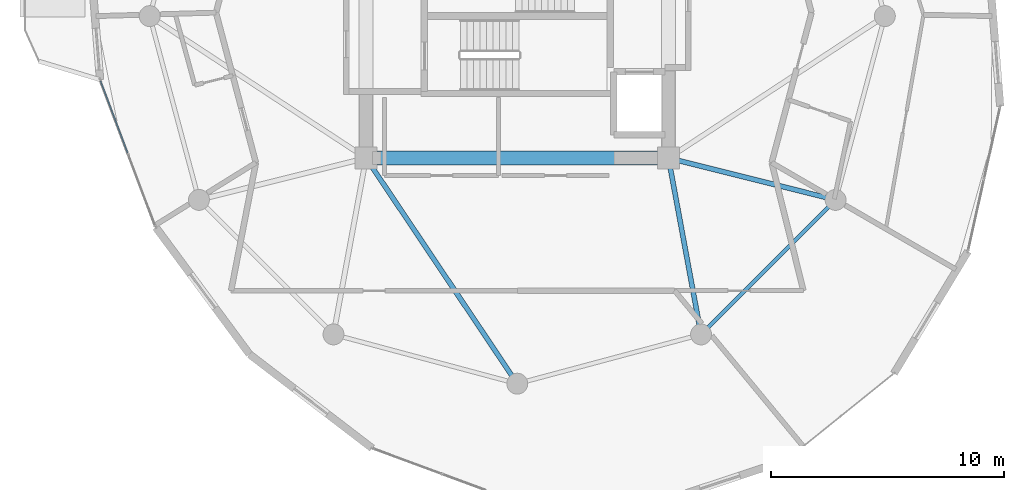
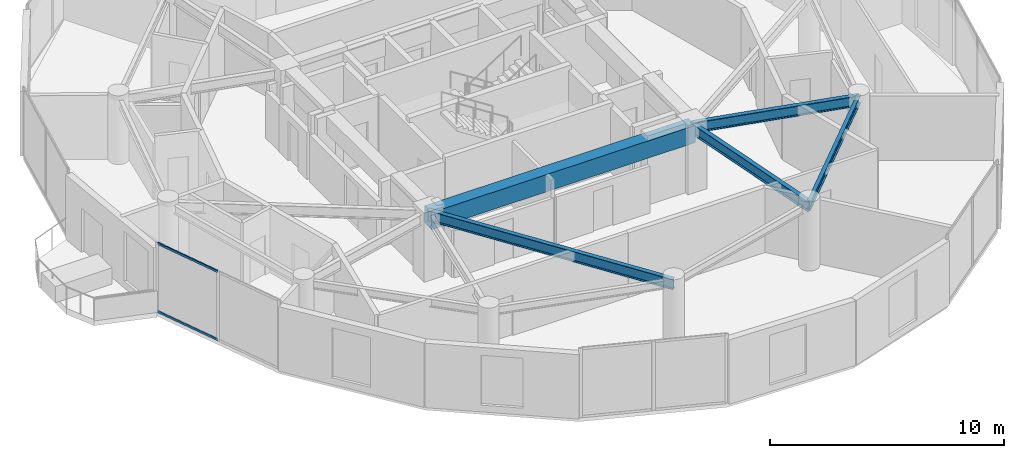
# One storey, part 5 of 20: 5 beams, 2 members, 1 element without a shape of its own.
"""IFC4 building model written with IfcOpenShell, lengths in metres."""

from ifc_helpers import new_model, si_unit, direction, frame, origin, origin_2d, place, context, subcontext, project, spatial, rectangle, hollow_rectangle, i_section, extrude, source, transform, mapped, material, layer, layer_set, material_profile, profile_set, type_object, element, aggregate, save


model = new_model("IFC4")

# Units and contexts
model_context = context("Model", 3, precision=1e-05, world=origin(), true_north=direction((0.0, 1.0)))
body_context = subcontext(model_context, "Body", "Model", "MODEL_VIEW")
ifc_project = project(units=[si_unit("LENGTHUNIT", "METRE"), si_unit("AREAUNIT", "SQUARE_METRE"), si_unit("VOLUMEUNIT", "CUBIC_METRE"), si_unit("PLANEANGLEUNIT", "RADIAN"), si_unit("MASSUNIT", "GRAM", prefix="KILO")], contexts=[model_context])

# Site, building, storey
site_placement = place(None, origin())
site = spatial("IfcSite", under=ifc_project, at=site_placement, CompositionType="ELEMENT")
building_placement = place(site_placement, origin())
building = spatial("IfcBuilding", under=site, at=building_placement, Name="Solvirekh Grand Hotel", CompositionType="ELEMENT")
storey_placement = place(building_placement, frame((0.0, 0.0, 194.800048828125)))
storey = spatial("IfcBuildingStorey", under=building, at=storey_placement, Name="L50", CompositionType="ELEMENT", Elevation=194.800048828125)

# Beams
ifc_material_1 = material(Name="Concrete C50/60", Category="concrete")
ifc_material_profile_1 = material_profile(ifc_material_1, rectangle(XDim=0.60009765625, YDim=0.89990234375, at=origin_2d()), Name="RC BEAM 600X900")
ifc_profile_set_1 = profile_set([ifc_material_profile_1], Name="Concrete C50/60")
beam_type_1 = type_object("IfcBeamType", Name="Beam_Core_RC900", PredefinedType="BEAM", material=ifc_profile_set_1)
beam_1_placement = place(storey_placement, frame((-6.5, -6.10009765625, 2.909912109375), z_axis=(1.0, 0.0, 0.0), x_axis=(0.0, 1.0, 0.0)))
element("IfcBeam", 1, at=beam_1_placement, inside=storey, type_object=beam_type_1, Name="L50 core coupling ring beam 1", PredefinedType="BEAM", context=body_context, shape_type="SweptSolid", body=[
    extrude(rectangle(XDim=0.60009765625, YDim=0.89990234375, at=origin_2d()), origin(), (0.0, 0.0, 1.0), 13.0),
])
ifc_material_2 = material(Name="Steel S355", Category="steel")
ifc_material_profile_2 = material_profile(ifc_material_2, i_section(OverallWidth=0.2119140625, OverallDepth=0.5439453125, WebThickness=0.011962890625, FlangeThickness=0.01904296875, FilletRadius=0.013916015625, at=origin_2d()), Name="W530X123")
ifc_profile_set_2 = profile_set([ifc_material_profile_2], Name="Steel S355")
beam_type_2 = type_object("IfcBeamType", Name="Beam_Radial_W530H", PredefinedType="BEAM", material=ifc_profile_set_2)
beam_2_placement = place(storey_placement, frame((-6.5, -6.10009765625, 3.087890625), z_axis=(0.556676926176, -0.830729077295, 0.0), x_axis=(0.830729077295, 0.556676926176, 0.0)))
element("IfcBeam", 2, at=beam_2_placement, inside=storey, type_object=beam_type_2, Name="L50 radial floor beam R10", PredefinedType="BEAM", context=body_context, shape_type="SweptSolid", body=[
    extrude(i_section(OverallWidth=0.2119140625, OverallDepth=0.5439453125, WebThickness=0.011962890625, FlangeThickness=0.01904296875, FilletRadius=0.013916015625, at=origin_2d()), origin(), (0.0, 0.0, 1.0), 11.676513671875),
])
beam_3_placement = place(storey_placement, frame((6.5, -6.10009765625, 3.087890625), z_axis=(0.181542769111, -0.983383049978, 0.0), x_axis=(0.983383049978, 0.181542769111, 0.0)))
element("IfcBeam", 3, at=beam_3_placement, inside=storey, type_object=beam_type_2, Name="L50 radial floor beam R11", PredefinedType="BEAM", context=body_context, shape_type="SweptSolid", body=[
    extrude(i_section(OverallWidth=0.2119140625, OverallDepth=0.5439453125, WebThickness=0.011962890625, FlangeThickness=0.01904296875, FilletRadius=0.013916015625, at=origin_2d()), origin(), (0.0, 0.0, 1.0), 7.711181640625),
])
beam_4_placement = place(storey_placement, frame((6.5, -6.10009765625, 3.087890625), z_axis=(0.970014367692, -0.243047580675, 0.0), x_axis=(0.243047580675, 0.970014367692, 0.0)))
element("IfcBeam", 4, at=beam_4_placement, inside=storey, type_object=beam_type_2, Name="L50 radial floor beam R12", PredefinedType="BEAM", context=body_context, shape_type="SweptSolid", body=[
    extrude(i_section(OverallWidth=0.2119140625, OverallDepth=0.5439453125, WebThickness=0.011962890625, FlangeThickness=0.01904296875, FilletRadius=0.013916015625, at=origin_2d()), origin(), (0.0, 0.0, 1.0), 7.4052734375),
])
ifc_material_profile_3 = material_profile(ifc_material_2, i_section(OverallWidth=0.180908203125, OverallDepth=0.4169921875, WebThickness=0.010009765625, FlangeThickness=0.01611328125, FilletRadius=0.011962890625, at=origin_2d()), Name="W410X85")
ifc_profile_set_3 = profile_set([ifc_material_profile_3], Name="Steel S355")
beam_type_3 = type_object("IfcBeamType", Name="Spandrel_Ring_W410", PredefinedType="SPANDREL", material=ifc_profile_set_3)
beam_5_placement = place(storey_placement, frame((7.89990234375, -13.68310546875, 3.15185546875), z_axis=(0.707106781187, 0.707106781187, 0.0), x_axis=(-0.707106781187, 0.707106781187, 0.0)))
element("IfcBeam", 5, at=beam_5_placement, inside=storey, type_object=beam_type_3, Name="L50 perimeter spandrel beam 11", PredefinedType="SPANDREL", context=body_context, shape_type="SweptSolid", body=[
    extrude(i_section(OverallWidth=0.180908203125, OverallDepth=0.4169921875, WebThickness=0.010009765625, FlangeThickness=0.01611328125, FilletRadius=0.011962890625, at=origin_2d()), origin(), (0.0, 0.0, 1.0), 8.1787109375),
])

# Curtain wall, members
ifc_material_3 = material(Name="Anodized Bronze Aluminium 6063-T6", Category="aluminium")
ifc_layer = layer(ifc_material_3, 0.159912109375)
ifc_layer_set = layer_set([ifc_layer], Name="Anodized Bronze Aluminium 6063-T6")
curtain_wall_type = type_object("IfcCurtainWallType", Name="CW_Sys4_HighZoneFlushBronzeCW", PredefinedType="NOTDEFINED", material=ifc_layer_set)
curtain_wall_placement = place(storey_placement, origin())
curtain_wall = element("IfcCurtainWall", 6, at=curtain_wall_placement, inside=storey, type_object=curtain_wall_type, Name="L50 unitised bronze-glass curtain wall CW-L50-C15", PredefinedType="NOTDEFINED")
ifc_material_profile_4 = material_profile(ifc_material_3, hollow_rectangle(XDim=0.054931640625, YDim=0.1201171875, WallThickness=0.00390625, at=origin_2d()), Name="ALU RHS 120X55X4")
ifc_profile_set_4 = profile_set([ifc_material_profile_4], Name="Anodized Bronze Aluminium 6063-T6")
member_type = type_object("IfcMemberType", Name="CWTransom_Sys4", PredefinedType="USERDEFINED", material=ifc_profile_set_4)
shared_shape = source(origin(), body_context, "Body", "SweptSolid", [
    extrude(hollow_rectangle(XDim=0.054931640625, YDim=0.1201171875, WallThickness=0.00390625, at=origin_2d()), origin(), (0.0, 0.0, 1.0), 3.302001953125),
])
member_1_placement = place(storey_placement, frame((-17.912841796875, -2.792236328125, 0.02734375), z_axis=(0.353205010159, -0.935545947989, 0.0), x_axis=(0.935545947989, 0.353205010159, 0.0)))
member_1 = element("IfcMember", 7, at=member_1_placement, type_object=member_type, Name="U04 transom 1.1", ObjectType="TRANSOM", PredefinedType="USERDEFINED", context=body_context, shape_type="MappedRepresentation", body=[
    mapped(shared_shape, transform((0.0, 0.0, 0.0), x_axis=(1.0, 0.0, 0.0), y_axis=(0.0, 1.0, 0.0), z_axis=(0.0, 0.0, 1.0), scale=1.0)),
])
member_2_placement = place(storey_placement, frame((-17.912841796875, -2.792236328125, 3.572509765625), z_axis=(0.353205010159, -0.935545947989, 0.0), x_axis=(0.935545947989, 0.353205010159, 0.0)))
member_2 = element("IfcMember", 8, at=member_2_placement, type_object=member_type, Name="U04 transom 1.2", ObjectType="TRANSOM", PredefinedType="USERDEFINED", context=body_context, shape_type="MappedRepresentation", body=[
    mapped(shared_shape, transform((0.0, 0.0, 0.0), x_axis=(1.0, 0.0, 0.0), y_axis=(0.0, 1.0, 0.0), z_axis=(0.0, 0.0, 1.0), scale=1.0)),
])
aggregate(curtain_wall, [member_1, member_2])

save(model, "model.ifc")
